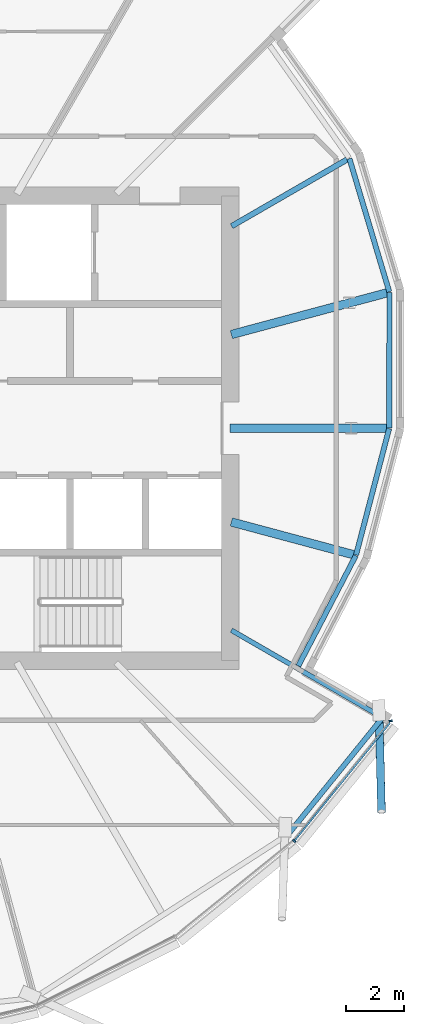
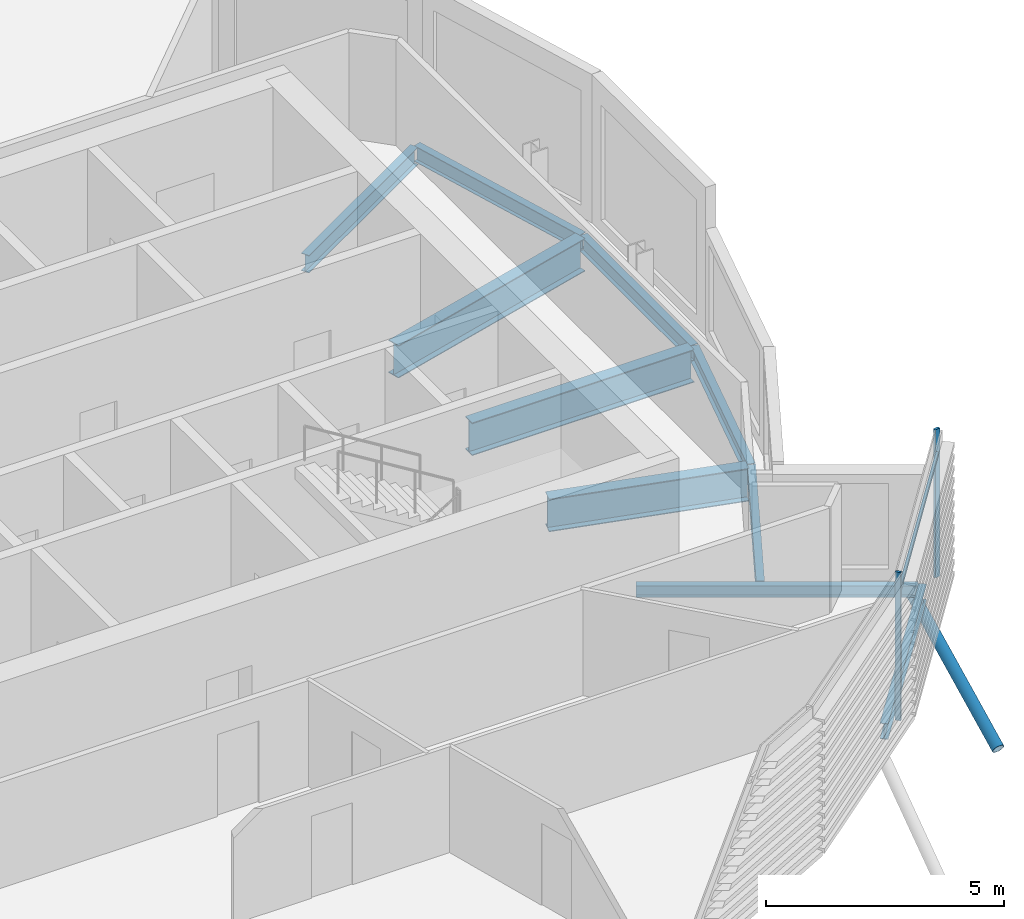
# One storey, part 15 of 37: 10 beams, 4 members, 1 element without a shape of its own.
"""IFC4 building model written with IfcOpenShell, lengths in metres."""

from ifc_helpers import new_model, si_unit, direction, frame, origin, origin_2d, place, context, subcontext, project, spatial, rectangle, hollow_circle, i_section, extrude, clip, halfspace, material, material_profile, profile_set, type_object, element, aggregate, save


model = new_model("IFC4")

# Units and contexts
model_context = context("Model", 3, precision=1e-05, world=origin(), true_north=direction((0.0, 1.0)))
body_context = subcontext(model_context, "Body", "Model", "MODEL_VIEW")
ifc_project = project(units=[si_unit("LENGTHUNIT", "METRE"), si_unit("AREAUNIT", "SQUARE_METRE"), si_unit("VOLUMEUNIT", "CUBIC_METRE"), si_unit("PLANEANGLEUNIT", "RADIAN"), si_unit("MASSUNIT", "GRAM", prefix="KILO")], contexts=[model_context])

# Site, building, storey
site_placement = place(None, origin())
site = spatial("IfcSite", under=ifc_project, at=site_placement, CompositionType="ELEMENT")
building_placement = place(site_placement, origin())
building = spatial("IfcBuilding", under=site, at=building_placement, Name="Rimbun Link Towers", CompositionType="ELEMENT")
storey_placement = place(building_placement, frame((0.0, 0.0, 166.5)))
storey = spatial("IfcBuildingStorey", under=building, at=storey_placement, Name="L40", CompositionType="ELEMENT", Elevation=166.5)

# Curtain wall, members
ifc_material_1 = material(Name="Aluminium 6063-T6 and low-iron glass", Category="aluminium")
curtain_wall_type = type_object("IfcCurtainWallType", Name="CW1-Z3 unitised vision wall (zone 3)", PredefinedType="NOTDEFINED", material=ifc_material_1)
curtain_wall_placement = place(storey_placement, origin())
curtain_wall = element("IfcCurtainWall", 1, at=curtain_wall_placement, inside=storey, type_object=curtain_wall_type, Name="CW1 L40 T2", PredefinedType="NOTDEFINED")
ifc_material_2 = material(Name="Aluminium 6063-T6", Category="aluminium")
ifc_material_profile_1 = material_profile(ifc_material_2, rectangle(XDim=0.1201171875, YDim=0.06005859375, at=origin_2d()), Name="MULLION 60X120")
ifc_profile_set_1 = profile_set([ifc_material_profile_1], Name="Aluminium 6063-T6")
member_type_1 = type_object("IfcMemberType", Name="CW1 mullion 60X120", PredefinedType="MULLION", material=ifc_profile_set_1)
member_1_placement = place(storey_placement, frame((45.957275390625, -14.207275390625, 0.0), z_axis=(0.0, 0.0, 1.0), x_axis=(0.707106781187, -0.707106781187, 0.0)))
member_1 = element("IfcMember", 2, at=member_1_placement, type_object=member_type_1, Name="CW1 mullion", PredefinedType="MULLION", context=body_context, shape_type="SweptSolid", body=[
    extrude(rectangle(XDim=0.1201171875, YDim=0.06005859375, at=origin_2d()), origin(), (0.0, 0.0, 1.0), 3.800048828125),
])
member_2_placement = place(storey_placement, frame((49.2763671875, -10.073974609375, 0.0), z_axis=(0.0, 0.0, 1.0), x_axis=(0.983236928627, 0.182332504466, 0.0)))
member_2 = element("IfcMember", 3, at=member_2_placement, type_object=member_type_1, Name="CW1 mullion", PredefinedType="MULLION", context=body_context, shape_type="SweptSolid", body=[
    extrude(rectangle(XDim=0.1201171875, YDim=0.06005859375, at=origin_2d()), origin(), (0.0, 0.0, 1.0), 3.800048828125),
])
ifc_material_3 = material(Name="Aluminium 6063-T6", Category="aluminium")
ifc_material_profile_2 = material_profile(ifc_material_3, rectangle(XDim=0.06005859375, YDim=0.1201171875, at=origin_2d()), Name="TRANSOM 60X120")
ifc_profile_set_2 = profile_set([ifc_material_profile_2], Name="Aluminium 6063-T6")
member_type_2 = type_object("IfcMemberType", Name="CW1 transom 60X120", PredefinedType="USERDEFINED", material=ifc_profile_set_2)
member_3_placement = place(storey_placement, frame((49.24365234375, -10.14453125, 3.199951171875), z_axis=(-0.629165746033, -0.77727116505, 0.0), x_axis=(0.77727116505, -0.629165746033, 0.0)))
member_3 = element("IfcMember", 4, at=member_3_placement, type_object=member_type_2, Name="CW1 transom", ObjectType="TRANSOM", PredefinedType="USERDEFINED", context=body_context, shape_type="SweptSolid", body=[
    extrude(rectangle(XDim=0.06005859375, YDim=0.1201171875, at=origin_2d()), origin(), (0.0, 0.0, 1.0), 5.189208984375),
])
aggregate(curtain_wall, [member_1, member_2, member_3])

# Member
ifc_material_4 = material(Name="Steel S355J2H", Category="steel")
ifc_material_profile_3 = material_profile(ifc_material_4, hollow_circle(Radius=0.136474609375, WallThickness=0.012451171875, at=origin_2d()), Name="CHS 273x12.5")
ifc_profile_set_3 = profile_set([ifc_material_profile_3], Name="Steel S355J2H")
member_type_3 = type_object("IfcMemberType", Name="Floor edge link CHS 273x12.5", PredefinedType="BRACE", material=ifc_profile_set_3)
member_4_placement = place(storey_placement, frame((48.8759765625, -9.8876953125, -0.5732421875), z_axis=(0.021848055803, -0.875146754404, -0.483364066428), x_axis=(0.999688519491, 0.024957243398, 0.0)))
element("IfcMember", 5, at=member_4_placement, inside=storey, type_object=member_type_3, Name="Floor edge link T2 L40 19", PredefinedType="BRACE", context=body_context, shape_type="Clipping", body=[
    clip(extrude(hollow_circle(Radius=0.136474609375, WallThickness=0.012451171875, at=origin_2d()), frame((0.0, 0.0, -0.51513671875)), (0.0, 0.0, 1.0), 4.30322265625), halfspace(frame((0.0, 0.0, -0.243896484375), z_axis=(0.0, 0.875419430494, -0.483364066428)), False)),
])

# Beams
ifc_material_5 = material(Name="Steel S355J2", Category="steel")
ifc_material_profile_4 = material_profile(ifc_material_5, i_section(OverallWidth=0.1650390625, OverallDepth=0.303466796875, WebThickness=0.006103515625, FlangeThickness=0.01025390625, at=origin_2d()), Name="UB 305x165x40")
ifc_profile_set_4 = profile_set([ifc_material_profile_4], Name="Steel S355J2")
beam_type_1 = type_object("IfcBeamType", Name="UB 305x165x40", PredefinedType="BEAM", material=ifc_profile_set_4)
beam_1_placement = place(storey_placement, frame((43.7919921875, -6.952392578125, -0.3017578125), z_axis=(0.86602420747, -0.500002072072, 0.0), x_axis=(0.500002072072, 0.86602420747, 0.0)))
element("IfcBeam", 6, at=beam_1_placement, inside=storey, type_object=beam_type_1, Name="Radial beam T2 L40 19", PredefinedType="BEAM", context=body_context, shape_type="SweptSolid", body=[
    extrude(i_section(OverallWidth=0.1650390625, OverallDepth=0.303466796875, WebThickness=0.006103515625, FlangeThickness=0.01025390625, at=origin_2d()), origin(), (0.0, 0.0, 1.0), 5.92041015625),
])
ifc_material_6 = material(Name="Steel S355J2", Category="steel")
ifc_material_profile_5 = material_profile(ifc_material_6, i_section(OverallWidth=0.177978515625, OverallDepth=0.406494140625, WebThickness=0.0078125, FlangeThickness=0.0126953125, at=origin_2d()), Name="UB 406x178x60")
ifc_profile_set_5 = profile_set([ifc_material_profile_5], Name="Steel S355J2")
beam_type_2 = type_object("IfcBeamType", Name="UB 406x178x60", PredefinedType="BEAM", material=ifc_profile_set_5)
beam_2_placement = place(storey_placement, frame((45.73779296875, -13.986328125, -0.353271484375), z_axis=(0.629144007055, 0.777288761263, 0.0), x_axis=(-0.777288761263, 0.629144007055, 0.0)))
element("IfcBeam", 7, at=beam_2_placement, inside=storey, type_object=beam_type_2, Name="Edge beam T2 L40 18", PredefinedType="BEAM", context=body_context, shape_type="SweptSolid", body=[
    extrude(i_section(OverallWidth=0.177978515625, OverallDepth=0.406494140625, WebThickness=0.0078125, FlangeThickness=0.0126953125, at=origin_2d()), origin(), (0.0, 0.0, 1.0), 5.18115234375),
])
beam_3_placement = place(storey_placement, frame((46.093994140625, -8.1806640625, -0.353271484375), z_axis=(0.462320393807, 0.886712948744, 0.0), x_axis=(-0.886712948744, 0.462320393807, 0.0)))
element("IfcBeam", 8, at=beam_3_placement, inside=storey, type_object=beam_type_2, Name="Edge beam T2 L40 19 recess", PredefinedType="BEAM", context=body_context, shape_type="SweptSolid", body=[
    extrude(i_section(OverallWidth=0.177978515625, OverallDepth=0.406494140625, WebThickness=0.0078125, FlangeThickness=0.0126953125, at=origin_2d()), origin(), (0.0, 0.0, 1.0), 4.280517578125),
])
beam_4_placement = place(storey_placement, frame((48.080810546875, -4.364501953125, -0.353271484375), z_axis=(0.253347301705, 0.967375389763, 0.0), x_axis=(-0.967375389763, 0.253347301705, 0.0)))
element("IfcBeam", 9, at=beam_4_placement, inside=storey, type_object=beam_type_2, Name="Edge beam T2 L40 20 recess", PredefinedType="BEAM", context=body_context, shape_type="SweptSolid", body=[
    extrude(i_section(OverallWidth=0.177978515625, OverallDepth=0.406494140625, WebThickness=0.0078125, FlangeThickness=0.0126953125, at=origin_2d()), origin(), (0.0, 0.0, 1.0), 4.499267578125),
])
beam_5_placement = place(storey_placement, frame((49.223876953125, 0.012451171875, -0.353271484375), z_axis=(0.001205765834, 0.999999273064, 0.0), x_axis=(-0.999999273064, 0.001205765834, 0.0)))
element("IfcBeam", 10, at=beam_5_placement, inside=storey, type_object=beam_type_2, Name="Edge beam T2 L40 21 recess", PredefinedType="BEAM", context=body_context, shape_type="SweptSolid", body=[
    extrude(i_section(OverallWidth=0.177978515625, OverallDepth=0.406494140625, WebThickness=0.0078125, FlangeThickness=0.0126953125, at=origin_2d()), origin(), (0.0, 0.0, 1.0), 4.656982421875),
])
beam_6_placement = place(storey_placement, frame((49.225341796875, 4.697021484375, -0.353271484375), z_axis=(-0.286603367153, 0.95804932542, 0.0), x_axis=(-0.95804932542, -0.286603367153, 0.0)))
element("IfcBeam", 11, at=beam_6_placement, inside=storey, type_object=beam_type_2, Name="Edge beam T2 L40 22 recess", PredefinedType="BEAM", context=body_context, shape_type="SweptSolid", body=[
    extrude(i_section(OverallWidth=0.177978515625, OverallDepth=0.406494140625, WebThickness=0.0078125, FlangeThickness=0.0126953125, at=origin_2d()), origin(), (0.0, 0.0, 1.0), 4.783935546875),
])
ifc_material_7 = material(Name="Steel S355J2", Category="steel")
ifc_material_profile_6 = material_profile(ifc_material_7, i_section(OverallWidth=0.18994140625, OverallDepth=0.453369140625, WebThickness=0.008544921875, FlangeThickness=0.0126953125, at=origin_2d()), Name="UB 457x191x67")
ifc_profile_set_6 = profile_set([ifc_material_profile_6], Name="Steel S355J2")
beam_type_3 = type_object("IfcBeamType", Name="UB 457x191x67", PredefinedType="BEAM", material=ifc_profile_set_6)
beam_7_placement = place(storey_placement, frame((43.79833984375, 6.9560546875, -0.376708984375), z_axis=(0.866034058835, 0.499985008713, 0.0), x_axis=(-0.499985008713, 0.866034058835, 0.0)))
element("IfcBeam", 12, at=beam_7_placement, inside=storey, type_object=beam_type_3, Name="Radial beam T2 L40 23", PredefinedType="BEAM", context=body_context, shape_type="SweptSolid", body=[
    extrude(i_section(OverallWidth=0.18994140625, OverallDepth=0.453369140625, WebThickness=0.008544921875, FlangeThickness=0.0126953125, at=origin_2d()), origin(), (0.0, 0.0, 1.0), 4.588134765625),
])
ifc_material_8 = material(Name="Steel S355J2", Category="steel")
ifc_material_profile_7 = material_profile(ifc_material_8, i_section(OverallWidth=0.29248046875, OverallDepth=0.8408203125, WebThickness=0.0126953125, FlangeThickness=0.021728515625, at=origin_2d()), Name="UB 838x292x194")
ifc_profile_set_7 = profile_set([ifc_material_profile_7], Name="Steel S355J2")
beam_type_4 = type_object("IfcBeamType", Name="UB 838x292x194", PredefinedType="BEAM", material=ifc_profile_set_7)
beam_8_placement = place(storey_placement, frame((43.788818359375, -3.225830078125, -0.5703125), z_axis=(0.965921245868, -0.258836138861, 0.0), x_axis=(0.258836138861, 0.965921245868, 0.0)))
element("IfcBeam", 13, at=beam_8_placement, inside=storey, type_object=beam_type_4, Name="Radial beam T2 L40 20", PredefinedType="BEAM", context=body_context, shape_type="SweptSolid", body=[
    extrude(i_section(OverallWidth=0.29248046875, OverallDepth=0.8408203125, WebThickness=0.0126953125, FlangeThickness=0.021728515625, at=origin_2d()), origin(), (0.0, 0.0, 1.0), 4.35009765625),
])
beam_9_placement = place(storey_placement, frame((43.7509765625, 0.0, -0.5703125), z_axis=(1.0, 0.0, 0.0), x_axis=(0.0, 1.0, 0.0)))
element("IfcBeam", 14, at=beam_9_placement, inside=storey, type_object=beam_type_4, Name="Radial beam T2 L40 21", PredefinedType="BEAM", context=body_context, shape_type="SweptSolid", body=[
    extrude(i_section(OverallWidth=0.29248046875, OverallDepth=0.8408203125, WebThickness=0.0126953125, FlangeThickness=0.021728515625, at=origin_2d()), origin(), (0.0, 0.0, 1.0), 5.38232421875),
])
beam_10_placement = place(storey_placement, frame((43.788818359375, 3.225830078125, -0.5703125), z_axis=(0.965929371755, 0.258805812882, 0.0), x_axis=(-0.258805812882, 0.965929371755, 0.0)))
element("IfcBeam", 15, at=beam_10_placement, inside=storey, type_object=beam_type_4, Name="Radial beam T2 L40 22", PredefinedType="BEAM", context=body_context, shape_type="SweptSolid", body=[
    extrude(i_section(OverallWidth=0.29248046875, OverallDepth=0.8408203125, WebThickness=0.0126953125, FlangeThickness=0.021728515625, at=origin_2d()), origin(), (0.0, 0.0, 1.0), 5.5419921875),
])

save(model, "model.ifc")
